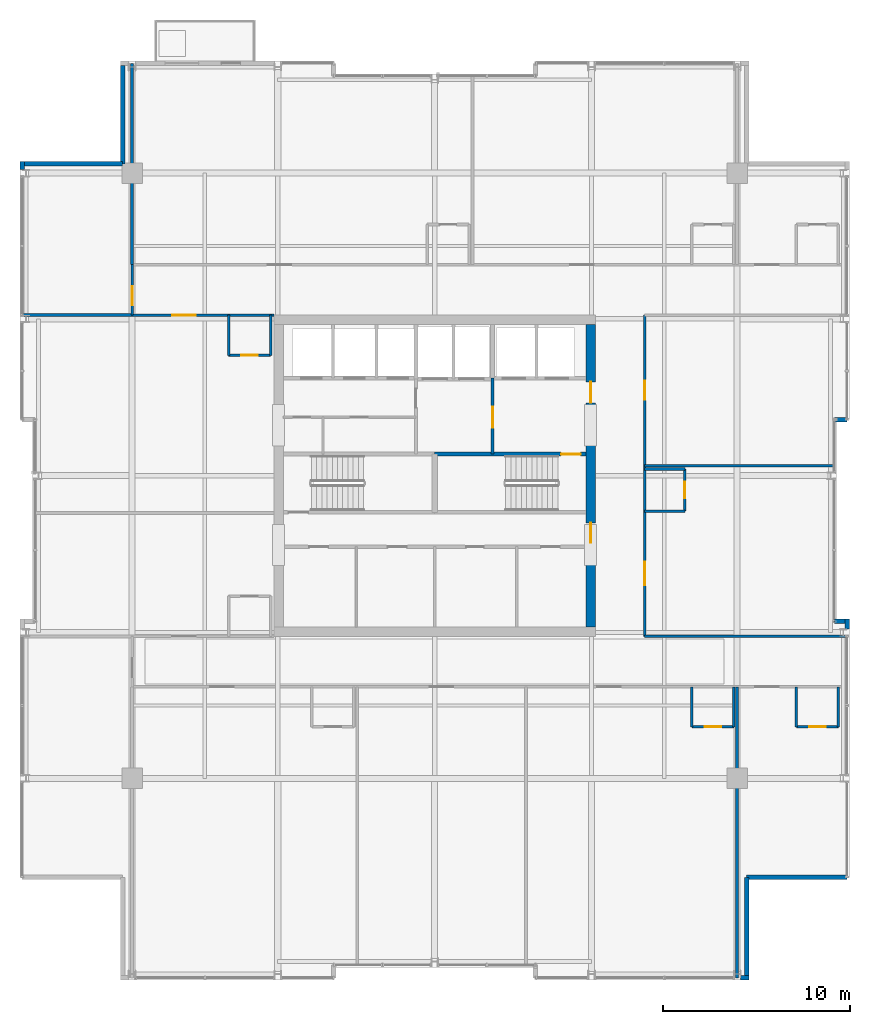
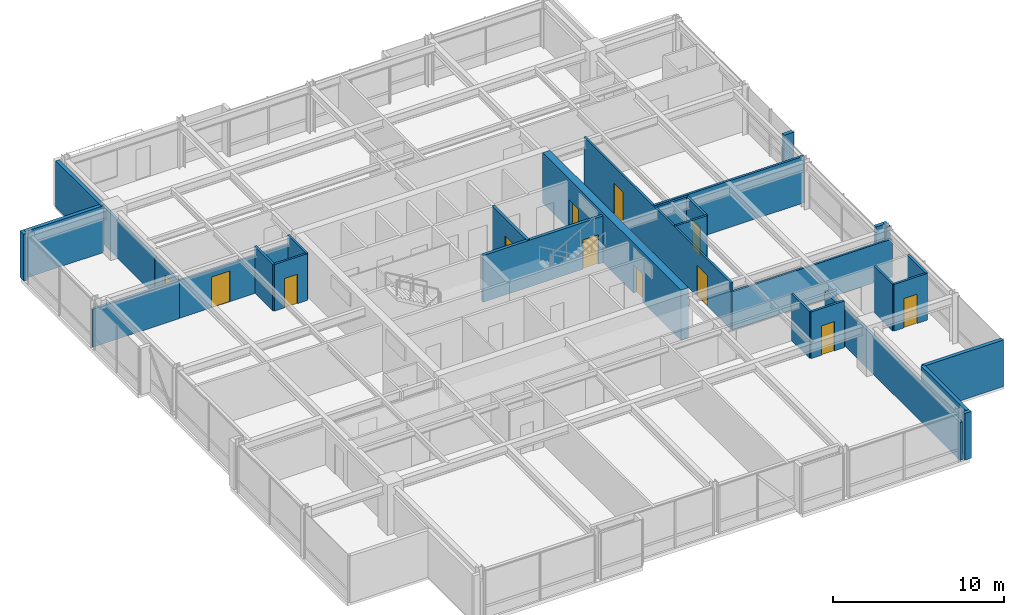
# One storey, part 26 of 31: 32 walls, 12 doors, 12 openings.
"""IFC4 building model written with IfcOpenShell, lengths in metres."""

from ifc_helpers import new_model, si_unit, direction, frame, frame_2d, origin, place, context, subcontext, project, spatial, rectangle, extrude, material, layer, layer_set, type_object, element, fill, save


model = new_model("IFC4")

# Units and contexts
model_context = context("Model", 3, precision=1e-05, world=origin(), true_north=direction((0.0, 1.0)))
body_context = subcontext(model_context, "Body", "Model", "MODEL_VIEW")
ifc_project = project(units=[si_unit("LENGTHUNIT", "METRE"), si_unit("AREAUNIT", "SQUARE_METRE"), si_unit("VOLUMEUNIT", "CUBIC_METRE"), si_unit("PLANEANGLEUNIT", "RADIAN"), si_unit("MASSUNIT", "GRAM", prefix="KILO")], contexts=[model_context])

# Site, building, storey
site_placement = place(None, origin())
site = spatial("IfcSite", under=ifc_project, at=site_placement, CompositionType="ELEMENT")
building_placement = place(site_placement, origin())
building = spatial("IfcBuilding", under=site, at=building_placement, Name="Drelvath Grand Hotel", CompositionType="ELEMENT")
storey_placement = place(building_placement, frame((0.0, 0.0, 219.5)))
storey = spatial("IfcBuildingStorey", under=building, at=storey_placement, Name="L57", CompositionType="ELEMENT", Elevation=219.5)

# Wall, opening, door
ifc_material_1 = material(Name="Concrete C40/50", Category="concrete")
ifc_layer_1 = layer(ifc_material_1, 0.199951171875)
ifc_layer_set_1 = layer_set([ifc_layer_1], Name="Concrete C40/50")
wall_type_1 = type_object("IfcWallType", Name="Core Shaft Fire Wall 200", PredefinedType="SOLIDWALL", material=ifc_layer_set_1)
wall_1_placement = place(storey_placement, frame((8.10009765625, 28.159912109375, 0.0), z_axis=(0.0, 0.0, 1.0), x_axis=(-1.0, 0.0, 0.0)))
wall_1 = element("IfcWall", 1, at=wall_1_placement, inside=storey, type_object=wall_type_1, Name="L57 Stair ST-2 North Wall", PredefinedType="SOLIDWALL", context=body_context, shape_type="SweptSolid", body=[
    extrude(rectangle(XDim=8.10009765625, YDim=0.199951171875, at=frame_2d((4.050048828125, 0.0))), origin(), (0.0, 0.0, 1.0), 3.340087890625),
])
opening_1_placement = place(wall_1_placement, frame((0.280029296875, 0.0, 0.0)))
opening_1 = element("IfcOpeningElement", 2, at=opening_1_placement, cuts=wall_1, Name="Opening D-T4G2-002", PredefinedType="OPENING", context=body_context, shape_type="SweptSolid", body=[
    extrude(rectangle(XDim=1.050048828125, YDim=2.10009765625, at=frame_2d((0.52490234375, 1.050048828125))), frame((0.0, 0.10986328125, 0.0), z_axis=(0.0, -1.0, 0.0), x_axis=(1.0, 0.0, 0.0)), (0.0, 0.0, 1.0), 0.219970703125),
])
ifc_material_2 = material(Name="Painted Steel S275", Category="steel")
door_type_1 = type_object("IfcDoorType", Name="Tower Stairwell Fire Door 1050x2100", OperationType="NOTDEFINED", PredefinedType="DOOR", material=ifc_material_2)
door_1_placement = place(opening_1_placement, origin())
door_1 = element("IfcDoor", 3, at=door_1_placement, inside=storey, type_object=door_type_1, Name="L57 Exit Stair ST-2 Door", OperationType="SINGLE_SWING_LEFT", OverallHeight=2.10009765625, OverallWidth=1.050048828125, PredefinedType="DOOR", context=body_context, shape_type="SweptSolid", body=[
    extrude(rectangle(XDim=1.050048828125, YDim=2.10009765625, at=frame_2d((0.52490234375, 1.050048828125))), frame((0.0, 0.02490234375, 0.0), z_axis=(0.0, -1.0, 0.0), x_axis=(1.0, 0.0, 0.0)), (0.0, 0.0, 1.0), 0.050048828125),
])
fill(opening_1, door_1)

# Wall
ifc_material_3 = material(Name="Gypsum Fireboard Partition")
ifc_layer_2 = layer(ifc_material_3, 0.135009765625)
ifc_layer_set_2 = layer_set([ifc_layer_2], Name="Gypsum Fireboard Partition")
wall_type_2 = type_object("IfcWallType", Name="Corridor Fire Barrier Wall 135", PredefinedType="PARTITIONING", material=ifc_layer_set_2)
wall_2_placement = place(storey_placement, frame((11.25, 18.39990234375, 0.0), z_axis=(0.0, 0.0, 1.0), x_axis=(1.0, 0.0, 0.0)))
element("IfcWall", 4, at=wall_2_placement, inside=storey, type_object=wall_type_2, Name="L57 South Gallery Inner East Wall", PredefinedType="PARTITIONING", context=body_context, shape_type="SweptSolid", body=[
    extrude(rectangle(XDim=10.830078125, YDim=0.135009765625, at=frame_2d((5.4150390625, 0.0))), origin(), (0.0, 0.0, 1.0), 2.71728515625),
])

# Wall, opening, door
wall_3_placement = place(storey_placement, frame((-16.199951171875, 35.60009765625, 0.0), z_axis=(0.0, 0.0, 1.0), x_axis=(1.0, 0.0, 0.0)))
wall_3 = element("IfcWall", 5, at=wall_3_placement, inside=storey, type_object=wall_type_2, Name="L57 North Gallery Inner West Wall", PredefinedType="PARTITIONING", context=body_context, shape_type="SweptSolid", body=[
    extrude(rectangle(XDim=7.599853515625, YDim=0.135009765625, at=frame_2d((3.7998046875, 0.0))), origin(), (0.0, 0.0, 1.0), 2.71728515625),
])
opening_2_placement = place(wall_3_placement, frame((2.155029296875, 0.0, 0.0)))
opening_2 = element("IfcOpeningElement", 6, at=opening_2_placement, cuts=wall_3, Name="Opening D-T4G2-041", PredefinedType="OPENING", context=body_context, shape_type="SweptSolid", body=[
    extrude(rectangle(XDim=1.260009765625, YDim=2.199951171875, at=frame_2d((0.6298828125, 1.10009765625))), frame((0.0, 0.077392578125, 0.0), z_axis=(0.0, -1.0, 0.0), x_axis=(1.0, 0.0, 0.0)), (0.0, 0.0, 1.0), 0.155029296875),
])
ifc_material_4 = material(Name="Hardwood Walnut Timber", Category="wood")
door_type_2 = type_object("IfcDoorType", Name="Suite Entrance Fire Door 1260x2200", OperationType="NOTDEFINED", PredefinedType="DOOR", material=ifc_material_4)
door_2_placement = place(opening_2_placement, origin())
door_2 = element("IfcDoor", 7, at=door_2_placement, inside=storey, type_object=door_type_2, Name="L57 Diplomatic Suite Entry Door", OperationType="SINGLE_SWING_RIGHT", OverallHeight=2.199951171875, OverallWidth=1.260009765625, PredefinedType="DOOR", context=body_context, shape_type="SweptSolid", body=[
    extrude(rectangle(XDim=1.260009765625, YDim=2.199951171875, at=frame_2d((0.6298828125, 1.10009765625))), frame((0.0, 0.02490234375, 0.0), z_axis=(0.0, -1.0, 0.0), x_axis=(1.0, 0.0, 0.0)), (0.0, 0.0, 1.0), 0.050048828125),
])
fill(opening_2, door_2)

# Wall, openings, doors
wall_4_placement = place(storey_placement, frame((11.25, 18.39990234375, 0.0), z_axis=(0.0, 0.0, 1.0), x_axis=(0.0, 1.0, 0.0)))
wall_4 = element("IfcWall", 8, at=wall_4_placement, inside=storey, type_object=wall_type_2, Name="L57 East Gallery Link Wall", PredefinedType="PARTITIONING", context=body_context, shape_type="SweptSolid", body=[
    extrude(rectangle(XDim=17.2001953125, YDim=0.135009765625, at=frame_2d((8.60009765625, 0.0))), origin(), (0.0, 0.0, 1.0), 3.340087890625),
])
opening_3_placement = place(wall_4_placement, frame((2.723876953125, 0.0, 0.0)))
opening_3 = element("IfcOpeningElement", 9, at=opening_3_placement, cuts=wall_4, Name="Opening D-T4G2-036", PredefinedType="OPENING", context=body_context, shape_type="SweptSolid", body=[
    extrude(rectangle(XDim=1.260009765625, YDim=2.199951171875, at=frame_2d((0.6298828125, 1.10009765625))), frame((0.0, 0.077392578125, 0.0), z_axis=(0.0, -1.0, 0.0), x_axis=(1.0, 0.0, 0.0)), (0.0, 0.0, 1.0), 0.155029296875),
])
opening_4_placement = place(wall_4_placement, frame((12.65869140625, 0.0, 0.0)))
opening_4 = element("IfcOpeningElement", 10, at=opening_4_placement, cuts=wall_4, Name="Opening D-T4G2-037", PredefinedType="OPENING", context=body_context, shape_type="SweptSolid", body=[
    extrude(rectangle(XDim=1.02001953125, YDim=2.14990234375, at=frame_2d((0.510009765625, 1.074951171875))), frame((0.0, 0.077392578125, 0.0), z_axis=(0.0, -1.0, 0.0), x_axis=(1.0, 0.0, 0.0)), (0.0, 0.0, 1.0), 0.155029296875),
])
door_type_3 = type_object("IfcDoorType", Name="Amenity Meeting Fire Door 1020x2150", OperationType="NOTDEFINED", PredefinedType="DOOR", material=ifc_material_4)
door_3_placement = place(opening_4_placement, origin())
door_3 = element("IfcDoor", 11, at=door_3_placement, inside=storey, type_object=door_type_3, Name="L57 Protocol Administration Office Entry Door", OperationType="SINGLE_SWING_RIGHT", OverallHeight=2.14990234375, OverallWidth=1.02001953125, PredefinedType="DOOR", context=body_context, shape_type="SweptSolid", body=[
    extrude(rectangle(XDim=1.02001953125, YDim=2.14990234375, at=frame_2d((0.510009765625, 1.074951171875))), frame((0.0, 0.02490234375, 0.0), z_axis=(0.0, -1.0, 0.0), x_axis=(1.0, 0.0, 0.0)), (0.0, 0.0, 1.0), 0.050048828125),
])
fill(opening_4, door_3)
door_4_placement = place(opening_3_placement, origin())
door_4 = element("IfcDoor", 12, at=door_4_placement, inside=storey, type_object=door_type_2, Name="L57 Diplomatic Suite Entry Door", OperationType="SINGLE_SWING_LEFT", OverallHeight=2.199951171875, OverallWidth=1.260009765625, PredefinedType="DOOR", context=body_context, shape_type="SweptSolid", body=[
    extrude(rectangle(XDim=1.260009765625, YDim=2.199951171875, at=frame_2d((0.6298828125, 1.10009765625))), frame((0.0, 0.02490234375, 0.0), z_axis=(0.0, -1.0, 0.0), x_axis=(1.0, 0.0, 0.0)), (0.0, 0.0, 1.0), 0.050048828125),
])
fill(opening_3, door_4)

# Wall, opening, door
wall_5_placement = place(storey_placement, frame((-16.199951171875, 35.60009765625, 0.0), z_axis=(0.0, 0.0, 1.0), x_axis=(0.0, 1.0, 0.0)))
wall_5 = element("IfcWall", 13, at=wall_5_placement, inside=storey, type_object=wall_type_2, Name="L57 North Gallery West End", PredefinedType="PARTITIONING", context=body_context, shape_type="SweptSolid", body=[
    extrude(rectangle(XDim=2.699951171875, YDim=0.135009765625, at=frame_2d((1.35009765625, 0.0))), origin(), (0.0, 0.0, 1.0), 2.7138671875),
])
opening_5_placement = place(wall_5_placement, frame((0.52001953125, 0.0, 0.0)))
opening_5 = element("IfcOpeningElement", 14, at=opening_5_placement, cuts=wall_5, Name="Opening D-T4G2-021", PredefinedType="OPENING", context=body_context, shape_type="SweptSolid", body=[
    extrude(rectangle(XDim=1.02001953125, YDim=2.14990234375, at=frame_2d((0.510009765625, 1.074951171875))), frame((0.0, 0.077392578125, 0.0), z_axis=(0.0, -1.0, 0.0), x_axis=(1.0, 0.0, 0.0)), (0.0, 0.0, 1.0), 0.155029296875),
])
door_5_placement = place(opening_5_placement, origin())
door_5 = element("IfcDoor", 15, at=door_5_placement, inside=storey, type_object=door_type_3, Name="L57 Corner Panorama Lounge Door", OperationType="SINGLE_SWING_RIGHT", OverallHeight=2.14990234375, OverallWidth=1.02001953125, PredefinedType="DOOR", context=body_context, shape_type="SweptSolid", body=[
    extrude(rectangle(XDim=1.02001953125, YDim=2.14990234375, at=frame_2d((0.510009765625, 1.074951171875))), frame((0.0, 0.02490234375, 0.0), z_axis=(0.0, -1.0, 0.0), x_axis=(1.0, 0.0, 0.0)), (0.0, 0.0, 1.0), 0.050048828125),
])
fill(opening_5, door_5)

# Walls
ifc_material_5 = material(Name="Moisture-Resistant Gypsum Board")
ifc_layer_3 = layer(ifc_material_5, 0.139892578125)
ifc_layer_set_3 = layer_set([ifc_layer_3], Name="Moisture-Resistant Gypsum Board")
wall_type_3 = type_object("IfcWallType", Name="En-Suite Plumbing Wall 140", PredefinedType="PLUMBINGWALL", material=ifc_layer_set_3)
for number, where, z_axis, x_axis, name in (
    (16, (19.3701171875, 15.699951171875, 0.0), (0.0, 0.0, 1.0), (0.0, -1.0, 0.0), "L57 En-Suite Left Wall"),
    (17, (21.6201171875, 15.699951171875, 0.0), (0.0, 0.0, 1.0), (0.0, -1.0, 0.0), "L57 En-Suite Right Wall"),
):
    element("IfcWall", number, at=place(storey_placement, frame(where, z_axis=z_axis, x_axis=x_axis)), inside=storey, type_object=wall_type_3, Name=name, PredefinedType="PLUMBINGWALL", context=body_context, shape_type="SweptSolid", body=[
        extrude(rectangle(XDim=2.14990234375, YDim=0.139892578125, at=frame_2d((1.074951171875, 0.0))), origin(), (0.0, 0.0, 1.0), 3.340087890625),
    ])

# Wall, opening, door
wall_6_placement = place(storey_placement, frame((19.3701171875, 13.550048828125, 0.0), z_axis=(0.0, 0.0, 1.0), x_axis=(1.0, 0.0, 0.0)))
wall_6 = element("IfcWall", 18, at=wall_6_placement, inside=storey, type_object=wall_type_3, Name="L57 En-Suite Front Wall", PredefinedType="PLUMBINGWALL", context=body_context, shape_type="SweptSolid", body=[
    extrude(rectangle(XDim=2.25, YDim=0.139892578125, at=frame_2d((1.125, 0.0))), origin(), (0.0, 0.0, 1.0), 3.340087890625),
])
opening_6_placement = place(wall_6_placement, frame((0.68505859375, 0.0, 0.0)))
opening_6 = element("IfcOpeningElement", 19, at=opening_6_placement, cuts=wall_6, Name="Opening D-T4G2-022", PredefinedType="OPENING", context=body_context, shape_type="SweptSolid", body=[
    extrude(rectangle(XDim=0.8798828125, YDim=2.10009765625, at=frame_2d((0.43994140625, 1.050048828125))), frame((0.0, 0.079833984375, 0.0), z_axis=(0.0, -1.0, 0.0), x_axis=(1.0, 0.0, 0.0)), (0.0, 0.0, 1.0), 0.159912109375),
])
door_type_4 = type_object("IfcDoorType", Name="En-Suite Bathroom Door 880x2100", OperationType="NOTDEFINED", PredefinedType="DOOR", material=ifc_material_4)
door_6_placement = place(opening_6_placement, origin())
door_6 = element("IfcDoor", 20, at=door_6_placement, inside=storey, type_object=door_type_4, Name="L57 En-Suite Bathroom Door", OperationType="SINGLE_SWING_LEFT", OverallHeight=2.10009765625, OverallWidth=0.8798828125, PredefinedType="DOOR", context=body_context, shape_type="SweptSolid", body=[
    extrude(rectangle(XDim=0.8798828125, YDim=2.10009765625, at=frame_2d((0.43994140625, 1.050048828125))), frame((0.0, 0.02490234375, 0.0), z_axis=(0.0, -1.0, 0.0), x_axis=(1.0, 0.0, 0.0)), (0.0, 0.0, 1.0), 0.050048828125),
])
fill(opening_6, door_6)

# Walls
wall_7_placement = place(storey_placement, frame((13.77001953125, 15.699951171875, 0.0), z_axis=(0.0, 0.0, 1.0), x_axis=(0.0, -1.0, 0.0)))
element("IfcWall", 21, at=wall_7_placement, inside=storey, type_object=wall_type_3, Name="L57 En-Suite Left Wall", PredefinedType="PLUMBINGWALL", context=body_context, shape_type="SweptSolid", body=[
    extrude(rectangle(XDim=2.14990234375, YDim=0.139892578125, at=frame_2d((1.074951171875, 0.0))), origin(), (0.0, 0.0, 1.0), 3.340087890625),
])
wall_8_placement = place(storey_placement, frame((16.02001953125, 15.699951171875, 0.0), z_axis=(0.0, 0.0, 1.0), x_axis=(0.0, -1.0, 0.0)))
element("IfcWall", 22, at=wall_8_placement, inside=storey, type_object=wall_type_3, Name="L57 En-Suite Right Wall", PredefinedType="PLUMBINGWALL", context=body_context, shape_type="SweptSolid", body=[
    extrude(rectangle(XDim=2.14990234375, YDim=0.139892578125, at=frame_2d((1.074951171875, 0.0))), origin(), (0.0, 0.0, 1.0), 2.7138671875),
])

# Wall, opening, door
wall_9_placement = place(storey_placement, frame((13.77001953125, 13.550048828125, 0.0), z_axis=(0.0, 0.0, 1.0), x_axis=(1.0, 0.0, 0.0)))
wall_9 = element("IfcWall", 23, at=wall_9_placement, inside=storey, type_object=wall_type_3, Name="L57 En-Suite Front Wall", PredefinedType="PLUMBINGWALL", context=body_context, shape_type="SweptSolid", body=[
    extrude(rectangle(XDim=2.25, YDim=0.139892578125, at=frame_2d((1.125, 0.0))), origin(), (0.0, 0.0, 1.0), 3.340087890625),
])
opening_7_placement = place(wall_9_placement, frame((0.68505859375, 0.0, 0.0)))
opening_7 = element("IfcOpeningElement", 24, at=opening_7_placement, cuts=wall_9, Name="Opening D-T4G2-029", PredefinedType="OPENING", context=body_context, shape_type="SweptSolid", body=[
    extrude(rectangle(XDim=0.8798828125, YDim=2.10009765625, at=frame_2d((0.43994140625, 1.050048828125))), frame((0.0, 0.079833984375, 0.0), z_axis=(0.0, -1.0, 0.0), x_axis=(1.0, 0.0, 0.0)), (0.0, 0.0, 1.0), 0.159912109375),
])
door_7_placement = place(opening_7_placement, origin())
door_7 = element("IfcDoor", 25, at=door_7_placement, inside=storey, type_object=door_type_4, Name="L57 En-Suite Bathroom Door", OperationType="SINGLE_SWING_RIGHT", OverallHeight=2.10009765625, OverallWidth=0.8798828125, PredefinedType="DOOR", context=body_context, shape_type="SweptSolid", body=[
    extrude(rectangle(XDim=0.8798828125, YDim=2.10009765625, at=frame_2d((0.43994140625, 1.050048828125))), frame((0.0, 0.02490234375, 0.0), z_axis=(0.0, -1.0, 0.0), x_axis=(1.0, 0.0, 0.0)), (0.0, 0.0, 1.0), 0.050048828125),
])
fill(opening_7, door_7)

# Walls
for number, where, z_axis, x_axis, name in (
    (26, (11.25, 25.107421875, 0.0), (0.0, 0.0, 1.0), (1.0, 0.0, 0.0), "L57 En-Suite Left Wall"),
    (27, (11.25, 27.357421875, 0.0), (0.0, 0.0, 1.0), (1.0, 0.0, 0.0), "L57 En-Suite Right Wall"),
):
    element("IfcWall", number, at=place(storey_placement, frame(where, z_axis=z_axis, x_axis=x_axis)), inside=storey, type_object=wall_type_3, Name=name, PredefinedType="PLUMBINGWALL", context=body_context, shape_type="SweptSolid", body=[
        extrude(rectangle(XDim=2.14990234375, YDim=0.139892578125, at=frame_2d((1.074951171875, 0.0))), origin(), (0.0, 0.0, 1.0), 3.340087890625),
    ])

# Wall, opening, door
wall_10_placement = place(storey_placement, frame((13.39990234375, 25.107421875, 0.0), z_axis=(0.0, 0.0, 1.0), x_axis=(0.0, 1.0, 0.0)))
wall_10 = element("IfcWall", 28, at=wall_10_placement, inside=storey, type_object=wall_type_3, Name="L57 En-Suite Front Wall", PredefinedType="PLUMBINGWALL", context=body_context, shape_type="SweptSolid", body=[
    extrude(rectangle(XDim=2.25, YDim=0.139892578125, at=frame_2d((1.125, 0.0))), origin(), (0.0, 0.0, 1.0), 3.340087890625),
])
opening_8_placement = place(wall_10_placement, frame((0.68505859375, 0.0, 0.0)))
opening_8 = element("IfcOpeningElement", 29, at=opening_8_placement, cuts=wall_10, Name="Opening D-T4G2-035", PredefinedType="OPENING", context=body_context, shape_type="SweptSolid", body=[
    extrude(rectangle(XDim=0.8798828125, YDim=2.10009765625, at=frame_2d((0.43994140625, 1.050048828125))), frame((0.0, 0.079833984375, 0.0), z_axis=(0.0, -1.0, 0.0), x_axis=(1.0, 0.0, 0.0)), (0.0, 0.0, 1.0), 0.159912109375),
])
door_8_placement = place(opening_8_placement, origin())
door_8 = element("IfcDoor", 30, at=door_8_placement, inside=storey, type_object=door_type_4, Name="L57 En-Suite Bathroom Door", OperationType="SINGLE_SWING_RIGHT", OverallHeight=2.10009765625, OverallWidth=0.8798828125, PredefinedType="DOOR", context=body_context, shape_type="SweptSolid", body=[
    extrude(rectangle(XDim=0.8798828125, YDim=2.10009765625, at=frame_2d((0.43994140625, 1.050048828125))), frame((0.0, 0.02490234375, 0.0), z_axis=(0.0, -1.0, 0.0), x_axis=(1.0, 0.0, 0.0)), (0.0, 0.0, 1.0), 0.050048828125),
])
fill(opening_8, door_8)

# Walls
for number, where, z_axis, x_axis, name in (
    (31, (-11.030029296875, 35.60009765625, 0.0), (0.0, 0.0, 1.0), (0.0, -1.0, 0.0), "L57 En-Suite Left Wall"),
    (32, (-8.780029296875, 35.60009765625, 0.0), (0.0, 0.0, 1.0), (0.0, -1.0, 0.0), "L57 En-Suite Right Wall"),
):
    element("IfcWall", number, at=place(storey_placement, frame(where, z_axis=z_axis, x_axis=x_axis)), inside=storey, type_object=wall_type_3, Name=name, PredefinedType="PLUMBINGWALL", context=body_context, shape_type="SweptSolid", body=[
        extrude(rectangle(XDim=2.150146484375, YDim=0.139892578125, at=frame_2d((1.0751953125, 0.0))), origin(), (0.0, 0.0, 1.0), 3.340087890625),
    ])

# Wall, opening, door
wall_11_placement = place(storey_placement, frame((-11.030029296875, 33.449951171875, 0.0), z_axis=(0.0, 0.0, 1.0), x_axis=(1.0, 0.0, 0.0)))
wall_11 = element("IfcWall", 33, at=wall_11_placement, inside=storey, type_object=wall_type_3, Name="L57 En-Suite Front Wall", PredefinedType="PLUMBINGWALL", context=body_context, shape_type="SweptSolid", body=[
    extrude(rectangle(XDim=2.25, YDim=0.139892578125, at=frame_2d((1.125, 0.0))), origin(), (0.0, 0.0, 1.0), 3.340087890625),
])
opening_9_placement = place(wall_11_placement, frame((0.68505859375, 0.0, 0.0)))
opening_9 = element("IfcOpeningElement", 34, at=opening_9_placement, cuts=wall_11, Name="Opening D-T4G2-040", PredefinedType="OPENING", context=body_context, shape_type="SweptSolid", body=[
    extrude(rectangle(XDim=0.8798828125, YDim=2.10009765625, at=frame_2d((0.43994140625, 1.050048828125))), frame((0.0, 0.079833984375, 0.0), z_axis=(0.0, -1.0, 0.0), x_axis=(1.0, 0.0, 0.0)), (0.0, 0.0, 1.0), 0.159912109375),
])
door_9_placement = place(opening_9_placement, origin())
door_9 = element("IfcDoor", 35, at=door_9_placement, inside=storey, type_object=door_type_4, Name="L57 En-Suite Bathroom Door", OperationType="SINGLE_SWING_LEFT", OverallHeight=2.10009765625, OverallWidth=0.8798828125, PredefinedType="DOOR", context=body_context, shape_type="SweptSolid", body=[
    extrude(rectangle(XDim=0.8798828125, YDim=2.10009765625, at=frame_2d((0.43994140625, 1.050048828125))), frame((0.0, 0.02490234375, 0.0), z_axis=(0.0, -1.0, 0.0), x_axis=(1.0, 0.0, 0.0)), (0.0, 0.0, 1.0), 0.050048828125),
])
fill(opening_9, door_9)

ifc_layer_4 = layer(ifc_material_3, 0.179931640625)
ifc_layer_set_4 = layer_set([ifc_layer_4], Name="Gypsum Fireboard Partition")
wall_type_4 = type_object("IfcWallType", Name="FSAE Smoke Lobby Fire Wall 180", PredefinedType="SOLIDWALL", material=ifc_layer_set_4)
wall_12_placement = place(storey_placement, frame((3.10009765625, 28.159912109375, 0.0), z_axis=(0.0, 0.0, 1.0), x_axis=(0.0, 1.0, 0.0)))
wall_12 = element("IfcWall", 36, at=wall_12_placement, inside=storey, type_object=wall_type_4, Name="L57 FSAE Smoke Lobby West Wall", PredefinedType="SOLIDWALL", context=body_context, shape_type="SweptSolid", body=[
    extrude(rectangle(XDim=4.06005859375, YDim=0.179931640625, at=frame_2d((2.030029296875, 0.0))), origin(), (0.0, 0.0, 1.0), 3.340087890625),
])
opening_10_placement = place(wall_12_placement, frame((1.39990234375, 0.0, 0.0)))
opening_10 = element("IfcOpeningElement", 37, at=opening_10_placement, cuts=wall_12, Name="Opening D-T4G2-005", PredefinedType="OPENING", context=body_context, shape_type="SweptSolid", body=[
    extrude(rectangle(XDim=1.1201171875, YDim=2.10009765625, at=frame_2d((0.56005859375, 1.050048828125))), frame((0.0, 0.099853515625, 0.0), z_axis=(0.0, -1.0, 0.0), x_axis=(1.0, 0.0, 0.0)), (0.0, 0.0, 1.0), 0.199951171875),
])
door_type_5 = type_object("IfcDoorType", Name="FSAE Smoke Lobby Fire Door 1120x2100", OperationType="NOTDEFINED", PredefinedType="DOOR", material=ifc_material_2)
door_10_placement = place(opening_10_placement, origin())
door_10 = element("IfcDoor", 38, at=door_10_placement, inside=storey, type_object=door_type_5, Name="L57 FSAE Lobby Service Vestibule Door", OperationType="SINGLE_SWING_RIGHT", OverallHeight=2.10009765625, OverallWidth=1.1201171875, PredefinedType="DOOR", context=body_context, shape_type="SweptSolid", body=[
    extrude(rectangle(XDim=1.1201171875, YDim=2.10009765625, at=frame_2d((0.56005859375, 1.050048828125))), frame((0.0, 0.02490234375, 0.0), z_axis=(0.0, -1.0, 0.0), x_axis=(1.0, 0.0, 0.0)), (0.0, 0.0, 1.0), 0.050048828125),
])
fill(opening_10, door_10)

# Walls
ifc_material_6 = material(Name="Gypsum Acoustic Partition")
ifc_layer_5 = layer(ifc_material_6, 0.14990234375)
ifc_layer_set_5 = layer_set([ifc_layer_5], Name="Gypsum Acoustic Partition")
wall_type_5 = type_object("IfcWallType", Name="Guestroom Demising Wall 150", PredefinedType="PARTITIONING", material=ifc_layer_set_5)
wall_13_placement = place(storey_placement, frame((11.25, 27.53759765625, 0.0), z_axis=(0.0, 0.0, 1.0), x_axis=(1.0, 0.0, 0.0)))
element("IfcWall", 39, at=wall_13_placement, inside=storey, type_object=wall_type_5, Name="L57 East Demising 1", PredefinedType="PARTITIONING", context=body_context, shape_type="SweptSolid", body=[
    extrude(rectangle(XDim=10.14990234375, YDim=0.14990234375, at=frame_2d((5.074951171875, 0.0))), origin(), (0.0, 0.0, 1.0), 3.340087890625),
])
ifc_layer_6 = layer(ifc_material_6, 0.1650390625)
ifc_layer_set_6 = layer_set([ifc_layer_6], Name="Gypsum Acoustic Partition")
wall_type_6 = type_object("IfcWallType", Name="Suite Demising Wall 165", PredefinedType="PARTITIONING", material=ifc_layer_set_6)
wall_14_placement = place(storey_placement, frame((16.199951171875, 0.1201171875, 0.0), z_axis=(0.0, 0.0, 1.0), x_axis=(0.0, 1.0, 0.0)))
element("IfcWall", 40, at=wall_14_placement, inside=storey, type_object=wall_type_6, Name="L57 SE Suite Wall", PredefinedType="PARTITIONING", context=body_context, shape_type="SweptSolid", body=[
    extrude(rectangle(XDim=15.579833984375, YDim=0.1650390625, at=frame_2d((7.7900390625, 0.0))), origin(), (0.0, 0.0, 1.0), 2.7138671875),
])
wall_15_placement = place(storey_placement, frame((-16.199951171875, 38.300048828125, 0.0), z_axis=(0.0, 0.0, 1.0), x_axis=(0.0, 1.0, 0.0)))
element("IfcWall", 41, at=wall_15_placement, inside=storey, type_object=wall_type_6, Name="L57 NW Suite Wall", PredefinedType="PARTITIONING", context=body_context, shape_type="SweptSolid", body=[
    extrude(rectangle(XDim=10.780029296875, YDim=0.1650390625, at=frame_2d((5.39013671875, 0.0))), origin(), (0.0, 0.0, 1.0), 2.7138671875),
])
wall_16_placement = place(storey_placement, frame((-22.080078125, 35.60009765625, 0.0), z_axis=(0.0, 0.0, 1.0), x_axis=(1.0, 0.0, 0.0)))
element("IfcWall", 42, at=wall_16_placement, inside=storey, type_object=wall_type_6, Name="L57 NW Corner South Wall", PredefinedType="PARTITIONING", context=body_context, shape_type="SweptSolid", body=[
    extrude(rectangle(XDim=5.880126953125, YDim=0.1650390625, at=frame_2d((2.93994140625, 0.0))), origin(), (0.0, 0.0, 1.0), 2.7138671875),
])
ifc_material_7 = material(Name="Pale-Metal Insulated Aluminium Spandrel Assembly", Category="aluminium")
ifc_layer_7 = layer(ifc_material_7, 0.239990234375)
ifc_layer_set_7 = layer_set([ifc_layer_7], Name="Pale-Metal Insulated Aluminium Spandrel Assembly")
wall_type_7 = type_object("IfcWallType", Name="Tower Insulated Metal Spandrel Closure Wall 240", PredefinedType="STANDARD", material=ifc_layer_set_7)
wall_17_placement = place(storey_placement, frame((-22.080078125, 43.38525390625, 0.0), z_axis=(0.0, 0.0, 1.0), x_axis=(0.0, 1.0, 0.0)))
element("IfcWall", 43, at=wall_17_placement, inside=storey, type_object=wall_type_7, Name="L57 Corner Pier Spandrel Wall WN3", PredefinedType="STANDARD", context=body_context, shape_type="SweptSolid", body=[
    extrude(rectangle(XDim=0.434814453125, YDim=0.239990234375, at=frame_2d((0.21728515625, 0.0))), origin(), (0.0, 0.0, 1.0), 3.340087890625),
])
wall_18_placement = place(storey_placement, frame((22.080078125, 19.320068359375, 0.0), z_axis=(0.0, 0.0, 1.0), x_axis=(0.0, -1.0, 0.0)))
element("IfcWall", 44, at=wall_18_placement, inside=storey, type_object=wall_type_7, Name="L57 Corner Pier Spandrel Wall ES3", PredefinedType="STANDARD", context=body_context, shape_type="SweptSolid", body=[
    extrude(rectangle(XDim=0.53466796875, YDim=0.239990234375, at=frame_2d((0.267333984375, 0.0))), origin(), (0.0, 0.0, 1.0), 3.340087890625),
])
wall_19_placement = place(storey_placement, frame((16.820068359375, 0.1201171875, 0.0), z_axis=(0.0, 0.0, 1.0), x_axis=(-1.0, 0.0, 0.0)))
element("IfcWall", 45, at=wall_19_placement, inside=storey, type_object=wall_type_7, Name="L57 Corner Pier Spandrel Wall SE3", PredefinedType="STANDARD", context=body_context, shape_type="SweptSolid", body=[
    extrude(rectangle(XDim=0.434814453125, YDim=0.239990234375, at=frame_2d((0.21728515625, 0.0))), origin(), (0.0, 0.0, 1.0), 3.340087890625),
])
for number, where, z_axis, x_axis, name in (
    (46, (-21.9599609375, 43.699951171875, 0.0), (0.0, 0.0, 1.0), (1.0, 0.0, 0.0), "L57 Notched Corner Return Spandrel Wall CNW1"),
    (47, (-16.699951171875, 43.699951171875, 0.0), (0.0, 0.0, 1.0), (0.0, 1.0, 0.0), "L57 Notched Corner Return Spandrel Wall CNW2"),
):
    element("IfcWall", number, at=place(storey_placement, frame(where, z_axis=z_axis, x_axis=x_axis)), inside=storey, type_object=wall_type_7, Name=name, PredefinedType="STANDARD", context=body_context, shape_type="SweptSolid", body=[
        extrude(rectangle(XDim=5.260009765625, YDim=0.239990234375, at=frame_2d((2.6298828125, 0.0))), origin(), (0.0, 0.0, 1.0), 3.340087890625),
    ])
wall_20_placement = place(storey_placement, frame((22.080078125, 5.5, 0.0), z_axis=(0.0, 0.0, 1.0), x_axis=(-1.0, 0.0, 0.0)))
element("IfcWall", 48, at=wall_20_placement, inside=storey, type_object=wall_type_7, Name="L57 Notched Corner Return Spandrel Wall CSE1", PredefinedType="STANDARD", context=body_context, shape_type="SweptSolid", body=[
    extrude(rectangle(XDim=5.380126953125, YDim=0.239990234375, at=frame_2d((2.68994140625, 0.0))), origin(), (0.0, 0.0, 1.0), 3.340087890625),
])
wall_21_placement = place(storey_placement, frame((16.699951171875, 5.5, 0.0), z_axis=(0.0, 0.0, 1.0), x_axis=(0.0, -1.0, 0.0)))
element("IfcWall", 49, at=wall_21_placement, inside=storey, type_object=wall_type_7, Name="L57 Notched Corner Return Spandrel Wall CSE2", PredefinedType="STANDARD", context=body_context, shape_type="SweptSolid", body=[
    extrude(rectangle(XDim=5.260009765625, YDim=0.239990234375, at=frame_2d((2.6298828125, 0.0))), origin(), (0.0, 0.0, 1.0), 3.340087890625),
])
wall_22_placement = place(storey_placement, frame((22.080078125, 30.0, 0.0), z_axis=(0.0, 0.0, 1.0), x_axis=(-1.0, 0.0, 0.0)))
element("IfcWall", 50, at=wall_22_placement, inside=storey, type_object=wall_type_7, Name="L57 Notched Corner Return Spandrel Wall RE1", PredefinedType="STANDARD", context=body_context, shape_type="SweptSolid", body=[
    extrude(rectangle(XDim=0.68017578125, YDim=0.239990234375, at=frame_2d((0.340087890625, 0.0))), origin(), (0.0, 0.0, 1.0), 3.340087890625),
])
wall_23_placement = place(storey_placement, frame((21.39990234375, 19.199951171875, 0.0), z_axis=(0.0, 0.0, 1.0), x_axis=(1.0, 0.0, 0.0)))
element("IfcWall", 51, at=wall_23_placement, inside=storey, type_object=wall_type_7, Name="L57 Notched Corner Return Spandrel Wall RE2", PredefinedType="STANDARD", context=body_context, shape_type="SweptSolid", body=[
    extrude(rectangle(XDim=0.56005859375, YDim=0.239990234375, at=frame_2d((0.280029296875, 0.0))), origin(), (0.0, 0.0, 1.0), 3.340087890625),
])

# Wall, openings, doors
ifc_material_8 = material(Name="Concrete f'c 55 MPa", Category="concrete")
ifc_layer_8 = layer(ifc_material_8, 0.5)
ifc_layer_set_8 = layer_set([ifc_layer_8], Name="Concrete f'c 55 MPa")
wall_type_8 = type_object("IfcWallType", Name="Upper Core RC Shear Wall 500", PredefinedType="SHEAR", material=ifc_layer_set_8)
wall_24_placement = place(storey_placement, frame((8.35009765625, 35.10009765625, 0.0), z_axis=(0.0, 0.0, 1.0), x_axis=(0.0, -1.0, 0.0)))
wall_24 = element("IfcWall", 52, at=wall_24_placement, inside=storey, type_object=wall_type_8, Name="L57 Central Core Shear Wall E", PredefinedType="SHEAR", context=body_context, shape_type="SweptSolid", body=[
    extrude(rectangle(XDim=16.2001953125, YDim=0.5, at=frame_2d((8.10009765625, 0.0))), origin(), (0.0, 0.0, 1.0), 3.60009765625),
])
opening_11_placement = place(wall_24_placement, frame((3.080078125, 0.0, 0.0)))
opening_11 = element("IfcOpeningElement", 53, at=opening_11_placement, cuts=wall_24, Name="Opening D-T4G2-006", PredefinedType="OPENING", context=body_context, shape_type="SweptSolid", body=[
    extrude(rectangle(XDim=1.1201171875, YDim=2.10009765625, at=frame_2d((0.56005859375, 1.050048828125))), frame((0.0, 0.260009765625, 0.0), z_axis=(0.0, -1.0, 0.0), x_axis=(1.0, 0.0, 0.0)), (0.0, 0.0, 1.0), 0.52001953125),
])
opening_12_placement = place(wall_24_placement, frame((10.6201171875, 0.0, 0.0)))
opening_12 = element("IfcOpeningElement", 54, at=opening_12_placement, cuts=wall_24, Name="Opening D-T4G2-015", PredefinedType="OPENING", context=body_context, shape_type="SweptSolid", body=[
    extrude(rectangle(XDim=1.080078125, YDim=2.0400390625, at=frame_2d((0.5400390625, 1.02001953125))), frame((0.0, 0.260009765625, 0.0), z_axis=(0.0, -1.0, 0.0), x_axis=(1.0, 0.0, 0.0)), (0.0, 0.0, 1.0), 0.52001953125),
])
door_type_6 = type_object("IfcDoorType", Name="Core Corridor Fire Door 1080x2100", OperationType="NOTDEFINED", PredefinedType="DOOR", material=ifc_material_2)
door_11_placement = place(opening_12_placement, origin())
door_11 = element("IfcDoor", 55, at=door_11_placement, inside=storey, type_object=door_type_6, Name="L57 Core Passage East Door", OperationType="SINGLE_SWING_RIGHT", OverallHeight=2.0400390625, OverallWidth=1.080078125, PredefinedType="DOOR", context=body_context, shape_type="SweptSolid", body=[
    extrude(rectangle(XDim=1.080078125, YDim=2.0400390625, at=frame_2d((0.5400390625, 1.02001953125))), frame((0.0, 0.02490234375, 0.0), z_axis=(0.0, -1.0, 0.0), x_axis=(1.0, 0.0, 0.0)), (0.0, 0.0, 1.0), 0.050048828125),
])
fill(opening_12, door_11)
door_12_placement = place(opening_11_placement, origin())
door_12 = element("IfcDoor", 56, at=door_12_placement, inside=storey, type_object=door_type_5, Name="L57 FSAE Lobby East Corridor Door", OperationType="SINGLE_SWING_LEFT", OverallHeight=2.10009765625, OverallWidth=1.1201171875, PredefinedType="DOOR", context=body_context, shape_type="SweptSolid", body=[
    extrude(rectangle(XDim=1.1201171875, YDim=2.10009765625, at=frame_2d((0.56005859375, 1.050048828125))), frame((0.0, 0.02490234375, 0.0), z_axis=(0.0, -1.0, 0.0), x_axis=(1.0, 0.0, 0.0)), (0.0, 0.0, 1.0), 0.050048828125),
])
fill(opening_11, door_12)

save(model, "model.ifc")
